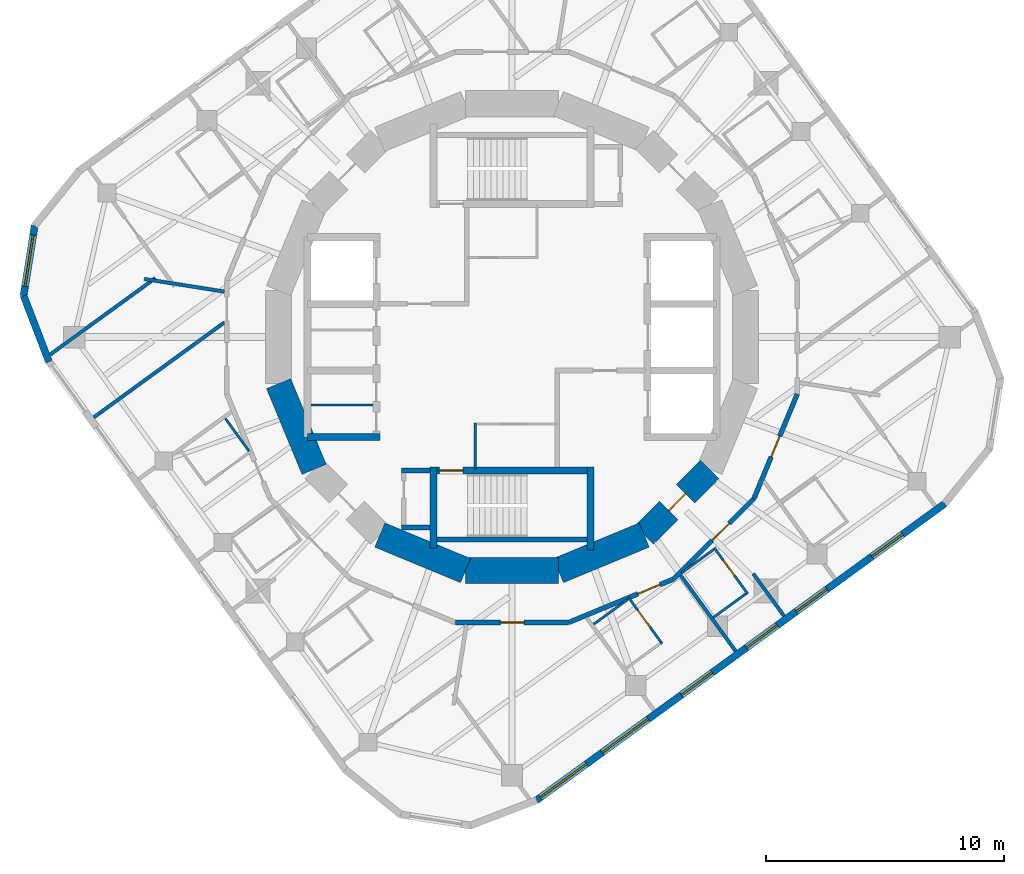
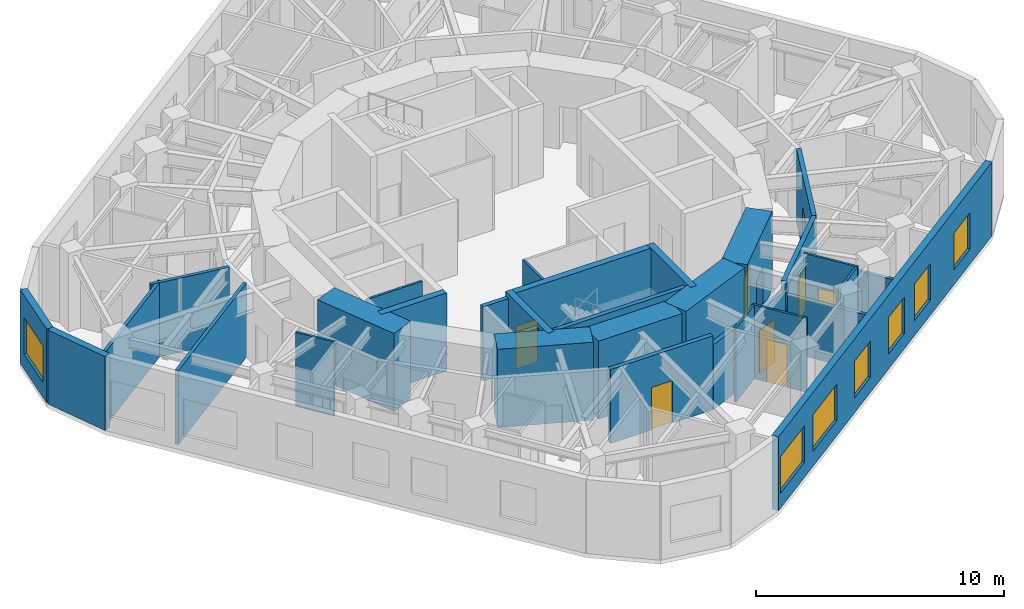
# One storey, part 4 of 9: 32 walls, 8 doors, 7 windows, 15 openings.
"""IFC4 building model written with IfcOpenShell, lengths in metres."""

from ifc_helpers import new_model, si_unit, direction, frame, frame_2d, origin, place, context, subcontext, project, spatial, rectangle, extrude, material, layer, layer_set, type_object, element, fill, save


model = new_model("IFC4")

# Units and contexts
model_context = context("Model", 3, precision=1e-05, world=origin(), true_north=direction((0.0, 1.0)))
body_context = subcontext(model_context, "Body", "Model", "MODEL_VIEW")
ifc_project = project(units=[si_unit("LENGTHUNIT", "METRE"), si_unit("AREAUNIT", "SQUARE_METRE"), si_unit("VOLUMEUNIT", "CUBIC_METRE"), si_unit("PLANEANGLEUNIT", "RADIAN"), si_unit("MASSUNIT", "GRAM", prefix="KILO")], contexts=[model_context])

# Site, building, storey
site_placement = place(None, origin())
site = spatial("IfcSite", under=ifc_project, at=site_placement, CompositionType="ELEMENT")
building_placement = place(site_placement, origin())
building = spatial("IfcBuilding", under=site, at=building_placement, Name="Nakasero Lantern House", CompositionType="ELEMENT")
storey_placement = place(building_placement, frame((0.0, 0.0, 283.0)))
storey = spatial("IfcBuildingStorey", under=building, at=storey_placement, Name="L69", CompositionType="ELEMENT", Elevation=283.0)

# Wall
ifc_material_1 = material(Name="Concrete C50/60", Category="concrete")
ifc_layer_1 = layer(ifc_material_1, 0.300048828125)
ifc_layer_set_1 = layer_set([ifc_layer_1], Name="Core inner wall 300")
wall_type_1 = type_object("IfcWallType", Name="Core inner wall 300", PredefinedType="SHEAR", material=ifc_layer_set_1)
wall_1_placement = place(storey_placement, frame((-8.60009765625, -4.199951171875, 0.0), z_axis=(0.0, 0.0, 1.0), x_axis=(1.0, 0.0, 0.0)))
element("IfcWall", 1, at=wall_1_placement, inside=storey, type_object=wall_type_1, Name="Core inner wall L69 LWS", PredefinedType="SHEAR", context=body_context, shape_type="SweptSolid", body=[
    extrude(rectangle(XDim=3.050048828125, YDim=0.300048828125, at=frame_2d((1.52490234375, 0.0))), origin(), (0.0, 0.0, 1.0), 3.85009765625),
])

# Wall, opening, door
wall_2_placement = place(storey_placement, frame((-3.449951171875, -5.60009765625, 0.0), z_axis=(0.0, 0.0, 1.0), x_axis=(1.0, 0.0, 0.0)))
wall_2 = element("IfcWall", 2, at=wall_2_placement, inside=storey, type_object=wall_type_1, Name="Core inner wall L69 SS", PredefinedType="SHEAR", context=body_context, shape_type="SweptSolid", body=[
    extrude(rectangle(XDim=6.89990234375, YDim=0.300048828125, at=frame_2d((3.449951171875, 0.0))), origin(), (0.0, 0.0, 1.0), 3.85009765625),
])
opening_1_placement = place(wall_2_placement, frame((0.39990234375, 0.0, 0.0)))
opening_1 = element("IfcOpeningElement", 3, at=opening_1_placement, cuts=wall_2, Name="Opening D05", PredefinedType="OPENING", context=body_context, shape_type="SweptSolid", body=[
    extrude(rectangle(XDim=1.0, YDim=2.10009765625, at=frame_2d((0.5, 1.050048828125))), frame((0.0, 0.169921875, 0.0), z_axis=(0.0, -1.0, 0.0), x_axis=(1.0, 0.0, 0.0)), (0.0, 0.0, 1.0), 0.340087890625),
])
ifc_material_2 = material(Name="Timber C24", Category="wood")
door_type_1 = type_object("IfcDoorType", Name="Core door FD60S 1000", OperationType="SINGLE_SWING_LEFT", PredefinedType="DOOR", material=ifc_material_2)
door_1_placement = place(opening_1_placement, origin())
door_1 = element("IfcDoor", 4, at=door_1_placement, inside=storey, type_object=door_type_1, Name="Door L69 D-ST2", OperationType="SINGLE_SWING_LEFT", OverallHeight=2.10009765625, OverallWidth=1.0, PredefinedType="DOOR", context=body_context, shape_type="SweptSolid", body=[
    extrude(rectangle(XDim=1.0, YDim=2.10009765625, at=frame_2d((0.5, 1.050048828125))), frame((0.0, 0.02490234375, 0.0), z_axis=(0.0, -1.0, 0.0), x_axis=(1.0, 0.0, 0.0)), (0.0, 0.0, 1.0), 0.050048828125),
])
fill(opening_1, door_1)

# Walls
wall_3_placement = place(storey_placement, frame((-3.300048828125, -5.449951171875, 0.0), z_axis=(0.0, 0.0, 1.0), x_axis=(0.0, -1.0, 0.0)))
element("IfcWall", 5, at=wall_3_placement, inside=storey, type_object=wall_type_1, Name="Core inner wall L69 SSW", PredefinedType="SHEAR", context=body_context, shape_type="SweptSolid", body=[
    extrude(rectangle(XDim=3.400146484375, YDim=0.300048828125, at=frame_2d((1.7001953125, 0.0))), origin(), (0.0, 0.0, 1.0), 3.85009765625),
])
wall_4_placement = place(storey_placement, frame((3.300048828125, -5.449951171875, 0.0), z_axis=(0.0, 0.0, 1.0), x_axis=(0.0, -1.0, 0.0)))
element("IfcWall", 6, at=wall_4_placement, inside=storey, type_object=wall_type_1, Name="Core inner wall L69 SSE", PredefinedType="SHEAR", context=body_context, shape_type="SweptSolid", body=[
    extrude(rectangle(XDim=3.5, YDim=0.300048828125, at=frame_2d((1.75, 0.0))), origin(), (0.0, 0.0, 1.0), 3.85009765625),
])
ifc_material_3 = material(Name="Blockwork", Category="masonry")
ifc_layer_2 = layer(ifc_material_3, 0.10009765625)
ifc_layer_set_2 = layer_set([ifc_layer_2], Name="Core room wall 100")
wall_type_2 = type_object("IfcWallType", Name="Core room wall 100", PredefinedType="PARTITIONING", material=ifc_layer_set_2)
wall_5_placement = place(storey_placement, frame((-1.550048828125, -5.550048828125, 0.0), z_axis=(0.0, 0.0, 1.0), x_axis=(0.0, 1.0, 0.0)))
element("IfcWall", 7, at=wall_5_placement, inside=storey, type_object=wall_type_2, Name="Core room wall L69 CR-SWW", PredefinedType="PARTITIONING", context=body_context, shape_type="SweptSolid", body=[
    extrude(rectangle(XDim=1.949951171875, YDim=0.10009765625, at=frame_2d((0.97509765625, 0.0))), origin(), (0.0, 0.0, 1.0), 3.64990234375),
])
wall_6_placement = place(storey_placement, frame((-8.449951171875, -2.85009765625, 0.0), z_axis=(0.0, 0.0, 1.0), x_axis=(1.0, 0.0, 0.0)))
element("IfcWall", 8, at=wall_6_placement, inside=storey, type_object=wall_type_2, Name="Core room wall L69 CR-SH-LW1b", PredefinedType="PARTITIONING", context=body_context, shape_type="SweptSolid", body=[
    extrude(rectangle(XDim=2.599853515625, YDim=0.10009765625, at=frame_2d((1.2998046875, 0.0))), origin(), (0.0, 0.0, 1.0), 3.64990234375),
])
ifc_material_4 = material(Name="Concrete C50/60", Category="concrete")
ifc_layer_3 = layer(ifc_material_4, 1.10009765625)
ifc_layer_set_3 = layer_set([ifc_layer_3], Name="Core wall 1100")
wall_type_3 = type_object("IfcWallType", Name="Core wall 1100", PredefinedType="SHEAR", material=ifc_layer_set_3)
for number, where, z_axis, x_axis, name in (
    (9, (-9.807861328125, -1.950927734375, 0.0), (0.0, 0.0, 1.0), (0.382690736062, -0.923876507187, 0.0), "Core wall L69 facet 9"),
    (10, (-5.5556640625, -8.314697265625, 0.0), (0.0, 0.0, 1.0), (0.923876507187, -0.382690736062, 0.0), "Core wall L69 facet 11"),
    (11, (-1.950927734375, -9.807861328125, 0.0), (0.0, 0.0, 1.0), (1.0, 0.0, 0.0), "Core wall L69 facet 12"),
    (12, (1.950927734375, -9.807861328125, 0.0), (0.0, 0.0, 1.0), (0.923876507187, 0.382690736062, 0.0), "Core wall L69 facet 13"),
):
    element("IfcWall", number, at=place(storey_placement, frame(where, z_axis=z_axis, x_axis=x_axis)), inside=storey, type_object=wall_type_3, Name=name, PredefinedType="SHEAR", context=body_context, shape_type="SweptSolid", body=[
        extrude(rectangle(XDim=3.90185546875, YDim=1.10009765625, at=frame_2d((1.950927734375, 0.0))), origin(), (0.0, 0.0, 1.0), 3.85009765625),
    ])

# Wall, opening, door
wall_7_placement = place(storey_placement, frame((5.5556640625, -8.314697265625, 0.0), z_axis=(0.0, 0.0, 1.0), x_axis=(0.707106781187, 0.707106781187, 0.0)))
wall_7 = element("IfcWall", 13, at=wall_7_placement, inside=storey, type_object=wall_type_3, Name="Core wall L69 facet 14", PredefinedType="SHEAR", context=body_context, shape_type="SweptSolid", body=[
    extrude(rectangle(XDim=3.90185546875, YDim=1.10009765625, at=frame_2d((1.950927734375, 0.0))), origin(), (0.0, 0.0, 1.0), 3.85009765625),
])
opening_2_placement = place(wall_7_placement, frame((1.450927734375, 0.0, 0.0)))
opening_2 = element("IfcOpeningElement", 14, at=opening_2_placement, cuts=wall_7, Name="Opening D05", PredefinedType="OPENING", context=body_context, shape_type="SweptSolid", body=[
    extrude(rectangle(XDim=1.0, YDim=2.10009765625, at=frame_2d((0.5, 1.050048828125))), frame((0.0, 0.570068359375, 0.0), z_axis=(0.0, -1.0, 0.0), x_axis=(1.0, 0.0, 0.0)), (0.0, 0.0, 1.0), 1.14013671875),
])
door_2_placement = place(opening_2_placement, origin())
door_2 = element("IfcDoor", 15, at=door_2_placement, inside=storey, type_object=door_type_1, Name="Door L69 D-CORE14", OperationType="SINGLE_SWING_LEFT", OverallHeight=2.10009765625, OverallWidth=1.0, PredefinedType="DOOR", context=body_context, shape_type="SweptSolid", body=[
    extrude(rectangle(XDim=1.0, YDim=2.10009765625, at=frame_2d((0.5, 1.050048828125))), frame((0.0, 0.02490234375, 0.0), z_axis=(0.0, -1.0, 0.0), x_axis=(1.0, 0.0, 0.0)), (0.0, 0.0, 1.0), 0.050048828125),
])
fill(opening_2, door_2)

ifc_material_5 = material(Name="Blockwork", Category="masonry")
ifc_layer_4 = layer(ifc_material_5, 0.199951171875)
ifc_layer_set_4 = layer_set([ifc_layer_4], Name="Corridor wall 200")
wall_type_4 = type_object("IfcWallType", Name="Corridor wall 200", PredefinedType="PARTITIONING", material=ifc_layer_set_4)
wall_8_placement = place(storey_placement, frame((11.98779296875, -2.384521484375, 0.0), z_axis=(0.0, 0.0, 1.0), x_axis=(-0.382669792111, -0.923885182372, 0.0)))
wall_8 = element("IfcWall", 16, at=wall_8_placement, inside=storey, type_object=wall_type_4, Name="Corridor wall L69 RC01a", PredefinedType="PARTITIONING", context=body_context, shape_type="SweptSolid", body=[
    extrude(rectangle(XDim=4.76904296875, YDim=0.199951171875, at=frame_2d((2.384521484375, 0.0))), origin(), (0.0, 0.0, 1.0), 3.64990234375),
])
opening_3_placement = place(wall_8_placement, frame((1.919921875, 0.0, 0.0)))
opening_3 = element("IfcOpeningElement", 17, at=opening_3_placement, cuts=wall_8, Name="Opening D01", PredefinedType="OPENING", context=body_context, shape_type="SweptSolid", body=[
    extrude(rectangle(XDim=0.949951171875, YDim=2.10009765625, at=frame_2d((0.47509765625, 1.050048828125))), frame((0.0, 0.119873046875, 0.0), z_axis=(0.0, -1.0, 0.0), x_axis=(1.0, 0.0, 0.0)), (0.0, 0.0, 1.0), 0.239990234375),
])
ifc_material_6 = material(Name="Timber C24", Category="wood")
door_type_2 = type_object("IfcDoorType", Name="Bedroom door FD30S 950", OperationType="SINGLE_SWING_LEFT", PredefinedType="DOOR", material=ifc_material_6)
door_3_placement = place(opening_3_placement, origin())
door_3 = element("IfcDoor", 18, at=door_3_placement, inside=storey, type_object=door_type_2, Name="Door L69 D3-06", OperationType="SINGLE_SWING_RIGHT", OverallHeight=2.10009765625, OverallWidth=0.949951171875, PredefinedType="DOOR", context=body_context, shape_type="SweptSolid", body=[
    extrude(rectangle(XDim=0.949951171875, YDim=2.10009765625, at=frame_2d((0.47509765625, 1.050048828125))), frame((0.0, 0.02490234375, 0.0), z_axis=(0.0, -1.0, 0.0), x_axis=(1.0, 0.0, 0.0)), (0.0, 0.0, 1.0), 0.050048828125),
])
fill(opening_3, door_3)

wall_9_placement = place(storey_placement, frame((10.162841796875, -6.79052734375, 0.0), z_axis=(0.0, 0.0, 1.0), x_axis=(-0.707106781187, -0.707106781187, 0.0)))
wall_9 = element("IfcWall", 19, at=wall_9_placement, inside=storey, type_object=wall_type_4, Name="Corridor wall L69 RC02a", PredefinedType="PARTITIONING", context=body_context, shape_type="SweptSolid", body=[
    extrude(rectangle(XDim=4.769287109375, YDim=0.199951171875, at=frame_2d((2.384765625, 0.0))), origin(), (0.0, 0.0, 1.0), 3.64990234375),
])
opening_4_placement = place(wall_9_placement, frame((1.469970703125, 0.0, 0.0)))
opening_4 = element("IfcOpeningElement", 20, at=opening_4_placement, cuts=wall_9, Name="Opening D07", PredefinedType="OPENING", context=body_context, shape_type="SweptSolid", body=[
    extrude(rectangle(XDim=1.0, YDim=2.10009765625, at=frame_2d((0.5, 1.050048828125))), frame((0.0, 0.119873046875, 0.0), z_axis=(0.0, -1.0, 0.0), x_axis=(1.0, 0.0, 0.0)), (0.0, 0.0, 1.0), 0.239990234375),
])
ifc_material_7 = material(Name="Timber C24", Category="wood")
door_type_3 = type_object("IfcDoorType", Name="Room door FD30S 1000", OperationType="SINGLE_SWING_LEFT", PredefinedType="DOOR", material=ifc_material_7)
door_4_placement = place(opening_4_placement, origin())
door_4 = element("IfcDoor", 21, at=door_4_placement, inside=storey, type_object=door_type_3, Name="Door L69 D3-04", OperationType="SINGLE_SWING_LEFT", OverallHeight=2.10009765625, OverallWidth=1.0, PredefinedType="DOOR", context=body_context, shape_type="SweptSolid", body=[
    extrude(rectangle(XDim=1.0, YDim=2.10009765625, at=frame_2d((0.5, 1.050048828125))), frame((0.0, 0.02490234375, 0.0), z_axis=(0.0, -1.0, 0.0), x_axis=(1.0, 0.0, 0.0)), (0.0, 0.0, 1.0), 0.050048828125),
])
fill(opening_4, door_4)

wall_10_placement = place(storey_placement, frame((6.79052734375, -10.162841796875, 0.0), z_axis=(0.0, 0.0, 1.0), x_axis=(-0.923885182372, -0.382669792111, 0.0)))
wall_10 = element("IfcWall", 22, at=wall_10_placement, inside=storey, type_object=wall_type_4, Name="Corridor wall L69 RC03a", PredefinedType="PARTITIONING", context=body_context, shape_type="SweptSolid", body=[
    extrude(rectangle(XDim=4.76904296875, YDim=0.199951171875, at=frame_2d((2.384521484375, 0.0))), origin(), (0.0, 0.0, 1.0), 3.18994140625),
])
opening_5_placement = place(wall_10_placement, frame((0.6201171875, 0.0, 0.0)))
opening_5 = element("IfcOpeningElement", 23, at=opening_5_placement, cuts=wall_10, Name="Opening D07", PredefinedType="OPENING", context=body_context, shape_type="SweptSolid", body=[
    extrude(rectangle(XDim=1.0, YDim=2.10009765625, at=frame_2d((0.5, 1.050048828125))), frame((0.0, 0.119873046875, 0.0), z_axis=(0.0, -1.0, 0.0), x_axis=(1.0, 0.0, 0.0)), (0.0, 0.0, 1.0), 0.239990234375),
])
door_5_placement = place(opening_5_placement, origin())
door_5 = element("IfcDoor", 24, at=door_5_placement, inside=storey, type_object=door_type_3, Name="Door L69 D3-03", OperationType="SINGLE_SWING_LEFT", OverallHeight=2.10009765625, OverallWidth=1.0, PredefinedType="DOOR", context=body_context, shape_type="SweptSolid", body=[
    extrude(rectangle(XDim=1.0, YDim=2.10009765625, at=frame_2d((0.5, 1.050048828125))), frame((0.0, 0.02490234375, 0.0), z_axis=(0.0, -1.0, 0.0), x_axis=(1.0, 0.0, 0.0)), (0.0, 0.0, 1.0), 0.050048828125),
])
fill(opening_5, door_5)

wall_11_placement = place(storey_placement, frame((2.384521484375, -11.98779296875, 0.0), z_axis=(0.0, 0.0, 1.0), x_axis=(-1.0, 0.0, 0.0)))
wall_11 = element("IfcWall", 25, at=wall_11_placement, inside=storey, type_object=wall_type_4, Name="Corridor wall L69 RC04a", PredefinedType="PARTITIONING", context=body_context, shape_type="SweptSolid", body=[
    extrude(rectangle(XDim=4.76904296875, YDim=0.199951171875, at=frame_2d((2.384521484375, 0.0))), origin(), (0.0, 0.0, 1.0), 3.64990234375),
])
opening_6_placement = place(wall_11_placement, frame((1.8701171875, 0.0, 0.0)))
opening_6 = element("IfcOpeningElement", 26, at=opening_6_placement, cuts=wall_11, Name="Opening D03", PredefinedType="OPENING", context=body_context, shape_type="SweptSolid", body=[
    extrude(rectangle(XDim=1.0, YDim=2.10009765625, at=frame_2d((0.5, 1.050048828125))), frame((0.0, 0.119873046875, 0.0), z_axis=(0.0, -1.0, 0.0), x_axis=(1.0, 0.0, 0.0)), (0.0, 0.0, 1.0), 0.239990234375),
])
ifc_material_8 = material(Name="Timber C24", Category="wood")
door_type_4 = type_object("IfcDoorType", Name="Lounge door FD30S 1000", OperationType="SINGLE_SWING_LEFT", PredefinedType="DOOR", material=ifc_material_8)
door_6_placement = place(opening_6_placement, origin())
door_6 = element("IfcDoor", 27, at=door_6_placement, inside=storey, type_object=door_type_4, Name="Door L69 DK3", OperationType="SINGLE_SWING_LEFT", OverallHeight=2.10009765625, OverallWidth=1.0, PredefinedType="DOOR", context=body_context, shape_type="SweptSolid", body=[
    extrude(rectangle(XDim=1.0, YDim=2.10009765625, at=frame_2d((0.5, 1.050048828125))), frame((0.0, 0.02490234375, 0.0), z_axis=(0.0, -1.0, 0.0), x_axis=(1.0, 0.0, 0.0)), (0.0, 0.0, 1.0), 0.050048828125),
])
fill(opening_6, door_6)

# Wall
ifc_material_9 = material(Name="Blockwork", Category="masonry")
ifc_layer_5 = layer(ifc_material_9, 0.10009765625)
ifc_layer_set_5 = layer_set([ifc_layer_5], Name="En-suite wall 100")
wall_type_5 = type_object("IfcWallType", Name="En-suite wall 100", PredefinedType="PARTITIONING", material=ifc_layer_set_5)
wall_12_placement = place(storey_placement, frame((-12.046142578125, -3.414794921875, 0.0), z_axis=(0.0, 0.0, 1.0), x_axis=(0.587659235066, -0.809108536256, 0.0)))
element("IfcWall", 28, at=wall_12_placement, inside=storey, type_object=wall_type_5, Name="En-suite wall L69 EI2-03", PredefinedType="PARTITIONING", context=body_context, shape_type="SweptSolid", body=[
    extrude(rectangle(XDim=1.699951171875, YDim=0.10009765625, at=frame_2d((0.85009765625, 0.0))), origin(), (0.0, 0.0, 1.0), 3.64990234375),
])

# Wall, opening, door
wall_13_placement = place(storey_placement, frame((4.896240234375, -10.937744140625, 0.0), z_axis=(0.0, 0.0, 1.0), x_axis=(0.587772420479, -0.809026317077, 0.0)))
wall_13 = element("IfcWall", 29, at=wall_13_placement, inside=storey, type_object=wall_type_5, Name="En-suite wall L69 ES3-03", PredefinedType="PARTITIONING", context=body_context, shape_type="SweptSolid", body=[
    extrude(rectangle(XDim=2.39990234375, YDim=0.10009765625, at=frame_2d((1.199951171875, 0.0))), origin(), (0.0, 0.0, 1.0), 3.64990234375),
])
opening_7_placement = place(wall_13_placement, frame((0.64990234375, 0.0, 0.0)))
opening_7 = element("IfcOpeningElement", 30, at=opening_7_placement, cuts=wall_13, Name="Opening D16", PredefinedType="OPENING", context=body_context, shape_type="SweptSolid", body=[
    extrude(rectangle(XDim=0.89990234375, YDim=2.10009765625, at=frame_2d((0.449951171875, 1.050048828125))), frame((0.0, 0.070068359375, 0.0), z_axis=(0.0, -1.0, 0.0), x_axis=(1.0, 0.0, 0.0)), (0.0, 0.0, 1.0), 0.14013671875),
])
ifc_material_10 = material(Name="Timber C24", Category="wood")
door_type_5 = type_object("IfcDoorType", Name="Accessible WC door 900", OperationType="SINGLE_SWING_RIGHT", PredefinedType="DOOR", material=ifc_material_10)
door_7_placement = place(opening_7_placement, origin())
door_7 = element("IfcDoor", 31, at=door_7_placement, inside=storey, type_object=door_type_5, Name="Door L69 DE3-03", OperationType="SINGLE_SWING_LEFT", OverallHeight=2.10009765625, OverallWidth=0.89990234375, PredefinedType="DOOR", context=body_context, shape_type="SweptSolid", body=[
    extrude(rectangle(XDim=0.89990234375, YDim=2.10009765625, at=frame_2d((0.449951171875, 1.050048828125))), frame((0.0, 0.02490234375, 0.0), z_axis=(0.0, -1.0, 0.0), x_axis=(1.0, 0.0, 0.0)), (0.0, 0.0, 1.0), 0.050048828125),
])
fill(opening_7, door_7)

# Wall
wall_14_placement = place(storey_placement, frame((3.428955078125, -12.065673828125, 0.0), z_axis=(0.0, 0.0, 1.0), x_axis=(0.809005783898, 0.58780068188, 0.0)))
element("IfcWall", 32, at=wall_14_placement, inside=storey, type_object=wall_type_5, Name="En-suite wall L69 EI3-03", PredefinedType="PARTITIONING", context=body_context, shape_type="SweptSolid", body=[
    extrude(rectangle(XDim=1.800048828125, YDim=0.10009765625, at=frame_2d((0.89990234375, 0.0))), origin(), (0.0, 0.0, 1.0), 3.64990234375),
])

# Wall, opening, door
wall_15_placement = place(storey_placement, frame((8.495849609375, -8.846435546875, 0.0), z_axis=(0.0, 0.0, 1.0), x_axis=(0.587772420479, -0.809026317077, 0.0)))
wall_15 = element("IfcWall", 33, at=wall_15_placement, inside=storey, type_object=wall_type_5, Name="En-suite wall L69 ES3-04", PredefinedType="PARTITIONING", context=body_context, shape_type="SweptSolid", body=[
    extrude(rectangle(XDim=2.39990234375, YDim=0.10009765625, at=frame_2d((1.199951171875, 0.0))), origin(), (0.0, 0.0, 1.0), 3.64990234375),
])
opening_8_placement = place(wall_15_placement, frame((0.64990234375, 0.0, 0.0)))
opening_8 = element("IfcOpeningElement", 34, at=opening_8_placement, cuts=wall_15, Name="Opening D15", PredefinedType="OPENING", context=body_context, shape_type="SweptSolid", body=[
    extrude(rectangle(XDim=0.800048828125, YDim=2.10009765625, at=frame_2d((0.39990234375, 1.050048828125))), frame((0.0, 0.070068359375, 0.0), z_axis=(0.0, -1.0, 0.0), x_axis=(1.0, 0.0, 0.0)), (0.0, 0.0, 1.0), 0.14013671875),
])
ifc_material_11 = material(Name="Timber C24", Category="wood")
door_type_6 = type_object("IfcDoorType", Name="Cleaner's store door FD30S 800", OperationType="SINGLE_SWING_LEFT", PredefinedType="DOOR", material=ifc_material_11)
door_8_placement = place(opening_8_placement, origin())
door_8 = element("IfcDoor", 35, at=door_8_placement, inside=storey, type_object=door_type_6, Name="Door L69 DE3-04", OperationType="SINGLE_SWING_LEFT", OverallHeight=2.10009765625, OverallWidth=0.800048828125, PredefinedType="DOOR", context=body_context, shape_type="SweptSolid", body=[
    extrude(rectangle(XDim=0.800048828125, YDim=2.10009765625, at=frame_2d((0.39990234375, 1.050048828125))), frame((0.0, 0.02490234375, 0.0), z_axis=(0.0, -1.0, 0.0), x_axis=(1.0, 0.0, 0.0)), (0.0, 0.0, 1.0), 0.050048828125),
])
fill(opening_8, door_8)

# Walls
wall_16_placement = place(storey_placement, frame((8.461181640625, -11.7763671875, 0.0), z_axis=(0.0, 0.0, 1.0), x_axis=(0.809040252033, 0.58775323954, 0.0)))
element("IfcWall", 36, at=wall_16_placement, inside=storey, type_object=wall_type_5, Name="En-suite wall L69 EE3-04", PredefinedType="PARTITIONING", context=body_context, shape_type="SweptSolid", body=[
    extrude(rectangle(XDim=1.7001953125, YDim=0.10009765625, at=frame_2d((0.85009765625, 0.0))), origin(), (0.0, 0.0, 1.0), 3.64990234375),
])
wall_17_placement = place(storey_placement, frame((7.109375, -9.91552734375, 0.0), z_axis=(0.0, 0.0, 1.0), x_axis=(0.808990636343, 0.587821529301, 0.0)))
element("IfcWall", 37, at=wall_17_placement, inside=storey, type_object=wall_type_5, Name="En-suite wall L69 EI3-04", PredefinedType="PARTITIONING", context=body_context, shape_type="SweptSolid", body=[
    extrude(rectangle(XDim=1.699951171875, YDim=0.10009765625, at=frame_2d((0.85009765625, 0.0))), origin(), (0.0, 0.0, 1.0), 3.18994140625),
])

# Wall, opening, window
ifc_material_12 = material(Name="Aluminium rainscreen on blockwork", Category="masonry")
ifc_layer_6 = layer(ifc_material_12, 0.300048828125)
ifc_layer_set_6 = layer_set([ifc_layer_6], Name="Facade wall 300")
wall_type_6 = type_object("IfcWallType", Name="Facade wall 300", PredefinedType="SOLIDWALL", material=ifc_layer_set_6)
wall_18_placement = place(storey_placement, frame((-20.05908203125, 4.683837890625, 0.0), z_axis=(0.0, 0.0, 1.0), x_axis=(-0.156413227021, -0.987691704133, 0.0)))
wall_18 = element("IfcWall", 38, at=wall_18_placement, inside=storey, type_object=wall_type_6, Name="Facade wall L69 FW1C2", PredefinedType="SOLIDWALL", context=body_context, shape_type="SweptSolid", body=[
    extrude(rectangle(XDim=2.9765625, YDim=0.300048828125, at=frame_2d((1.48828125, 0.0))), origin(), (0.0, 0.0, 1.0), 3.64990234375),
])
opening_9_placement = place(wall_18_placement, frame((0.39990234375, 0.0, 0.75)))
opening_9 = element("IfcOpeningElement", 39, at=opening_9_placement, cuts=wall_18, Name="Opening W221", PredefinedType="OPENING", context=body_context, shape_type="SweptSolid", body=[
    extrude(rectangle(XDim=2.176025390625, YDim=1.800048828125, at=frame_2d((1.087890625, 0.89990234375))), frame((0.0, 0.169921875, 0.0), z_axis=(0.0, -1.0, 0.0), x_axis=(1.0, 0.0, 0.0)), (0.0, 0.0, 1.0), 0.340087890625),
])
ifc_material_13 = material(Name="Aluminium 6063-T6 and glass", Category="aluminium")
window_type_1 = type_object("IfcWindowType", Name="Corner window 2176x1800", PartitioningType="SINGLE_PANEL", PredefinedType="WINDOW", material=ifc_material_13)
window_1_placement = place(opening_9_placement, origin())
window_1 = element("IfcWindow", 40, at=window_1_placement, inside=storey, type_object=window_type_1, Name="Window L69 WC1", OverallHeight=1.800048828125, OverallWidth=2.176025390625, PartitioningType="SINGLE_PANEL", PredefinedType="WINDOW", context=body_context, shape_type="SweptSolid", body=[
    extrude(rectangle(XDim=2.176025390625, YDim=1.800048828125, at=frame_2d((1.087890625, 0.89990234375))), frame((0.0, 0.030029296875, 0.0), z_axis=(0.0, -1.0, 0.0), x_axis=(1.0, 0.0, 0.0)), (0.0, 0.0, 1.0), 0.06005859375),
])
fill(opening_9, window_1)

# Wall
wall_19_placement = place(storey_placement, frame((-20.524658203125, 1.743896484375, 0.0), z_axis=(0.0, 0.0, 1.0), x_axis=(0.35838535244, -0.933573745966, 0.0)))
element("IfcWall", 41, at=wall_19_placement, inside=storey, type_object=wall_type_6, Name="Facade wall L69 FW1C3", PredefinedType="SOLIDWALL", context=body_context, shape_type="SweptSolid", body=[
    extrude(rectangle(XDim=2.976318359375, YDim=0.300048828125, at=frame_2d((1.48828125, 0.0))), origin(), (0.0, 0.0, 1.0), 3.64990234375),
])

# Wall, openings, windows
wall_20_placement = place(storey_placement, frame((1.03466796875, -19.4580078125, 0.0), z_axis=(0.0, 0.0, 1.0), x_axis=(0.809013375328, 0.587790233451, 0.0)))
wall_20 = element("IfcWall", 42, at=wall_20_placement, inside=storey, type_object=wall_type_6, Name="Facade wall L69 FW3S", PredefinedType="SOLIDWALL", context=body_context, shape_type="SweptSolid", body=[
    extrude(rectangle(XDim=21.199951171875, YDim=0.300048828125, at=frame_2d((10.60009765625, 0.0))), origin(), (0.0, 0.0, 1.0), 3.64990234375),
])
opening_10_placement = place(wall_20_placement, frame((7.52783203125, 0.0, 0.75)))
opening_10 = element("IfcOpeningElement", 43, at=opening_10_placement, cuts=wall_20, Name="Opening W01", PredefinedType="OPENING", context=body_context, shape_type="SweptSolid", body=[
    extrude(rectangle(XDim=1.60009765625, YDim=1.800048828125, at=frame_2d((0.800048828125, 0.89990234375))), frame((0.0, 0.169921875, 0.0), z_axis=(0.0, -1.0, 0.0), x_axis=(1.0, 0.0, 0.0)), (0.0, 0.0, 1.0), 0.340087890625),
])
opening_11_placement = place(wall_20_placement, frame((10.904052734375, 0.0, 0.75)))
opening_11 = element("IfcOpeningElement", 44, at=opening_11_placement, cuts=wall_20, Name="Opening W01", PredefinedType="OPENING", context=body_context, shape_type="SweptSolid", body=[
    extrude(rectangle(XDim=1.60009765625, YDim=1.800048828125, at=frame_2d((0.800048828125, 0.89990234375))), frame((0.0, 0.169921875, 0.0), z_axis=(0.0, -1.0, 0.0), x_axis=(1.0, 0.0, 0.0)), (0.0, 0.0, 1.0), 0.340087890625),
])
opening_12_placement = place(wall_20_placement, frame((13.484619140625, 0.0, 0.75)))
opening_12 = element("IfcOpeningElement", 45, at=opening_12_placement, cuts=wall_20, Name="Opening W01", PredefinedType="OPENING", context=body_context, shape_type="SweptSolid", body=[
    extrude(rectangle(XDim=1.60009765625, YDim=1.800048828125, at=frame_2d((0.800048828125, 0.89990234375))), frame((0.0, 0.169921875, 0.0), z_axis=(0.0, -1.0, 0.0), x_axis=(1.0, 0.0, 0.0)), (0.0, 0.0, 1.0), 0.340087890625),
])
opening_13_placement = place(wall_20_placement, frame((17.410888671875, 0.0, 0.75)))
opening_13 = element("IfcOpeningElement", 46, at=opening_13_placement, cuts=wall_20, Name="Opening W01", PredefinedType="OPENING", context=body_context, shape_type="SweptSolid", body=[
    extrude(rectangle(XDim=1.60009765625, YDim=1.800048828125, at=frame_2d((0.800048828125, 0.89990234375))), frame((0.0, 0.169921875, 0.0), z_axis=(0.0, -1.0, 0.0), x_axis=(1.0, 0.0, 0.0)), (0.0, 0.0, 1.0), 0.340087890625),
])
opening_14_placement = place(wall_20_placement, frame((0.1904296875, 0.0, 0.75)))
opening_14 = element("IfcOpeningElement", 47, at=opening_14_placement, cuts=wall_20, Name="Opening W03", PredefinedType="OPENING", context=body_context, shape_type="SweptSolid", body=[
    extrude(rectangle(XDim=2.39990234375, YDim=1.800048828125, at=frame_2d((1.199951171875, 0.89990234375))), frame((0.0, 0.169921875, 0.0), z_axis=(0.0, -1.0, 0.0), x_axis=(1.0, 0.0, 0.0)), (0.0, 0.0, 1.0), 0.340087890625),
])
opening_15_placement = place(wall_20_placement, frame((3.401611328125, 0.0, 0.75)))
opening_15 = element("IfcOpeningElement", 48, at=opening_15_placement, cuts=wall_20, Name="Opening W03", PredefinedType="OPENING", context=body_context, shape_type="SweptSolid", body=[
    extrude(rectangle(XDim=2.39990234375, YDim=1.800048828125, at=frame_2d((1.199951171875, 0.89990234375))), frame((0.0, 0.169921875, 0.0), z_axis=(0.0, -1.0, 0.0), x_axis=(1.0, 0.0, 0.0)), (0.0, 0.0, 1.0), 0.340087890625),
])
ifc_material_14 = material(Name="Aluminium 6063-T6 and glass", Category="aluminium")
window_type_2 = type_object("IfcWindowType", Name="Bedroom window 1600x1800", PartitioningType="SINGLE_PANEL", PredefinedType="WINDOW", material=ifc_material_14)
window_2_placement = place(opening_10_placement, origin())
window_2 = element("IfcWindow", 49, at=window_2_placement, inside=storey, type_object=window_type_2, Name="Window L69 WN3-03", OverallHeight=1.800048828125, OverallWidth=1.60009765625, PartitioningType="SINGLE_PANEL", PredefinedType="WINDOW", context=body_context, shape_type="SweptSolid", body=[
    extrude(rectangle(XDim=1.60009765625, YDim=1.800048828125, at=frame_2d((0.800048828125, 0.89990234375))), frame((0.0, 0.030029296875, 0.0), z_axis=(0.0, -1.0, 0.0), x_axis=(1.0, 0.0, 0.0)), (0.0, 0.0, 1.0), 0.06005859375),
])
fill(opening_10, window_2)
window_3_placement = place(opening_11_placement, origin())
window_3 = element("IfcWindow", 50, at=window_3_placement, inside=storey, type_object=window_type_2, Name="Window L69 WN3-04", OverallHeight=1.800048828125, OverallWidth=1.60009765625, PartitioningType="SINGLE_PANEL", PredefinedType="WINDOW", context=body_context, shape_type="SweptSolid", body=[
    extrude(rectangle(XDim=1.60009765625, YDim=1.800048828125, at=frame_2d((0.800048828125, 0.89990234375))), frame((0.0, 0.030029296875, 0.0), z_axis=(0.0, -1.0, 0.0), x_axis=(1.0, 0.0, 0.0)), (0.0, 0.0, 1.0), 0.06005859375),
])
fill(opening_11, window_3)
window_4_placement = place(opening_12_placement, origin())
window_4 = element("IfcWindow", 51, at=window_4_placement, inside=storey, type_object=window_type_2, Name="Window L69 WN3-05", OverallHeight=1.800048828125, OverallWidth=1.60009765625, PartitioningType="SINGLE_PANEL", PredefinedType="WINDOW", context=body_context, shape_type="SweptSolid", body=[
    extrude(rectangle(XDim=1.60009765625, YDim=1.800048828125, at=frame_2d((0.800048828125, 0.89990234375))), frame((0.0, 0.030029296875, 0.0), z_axis=(0.0, -1.0, 0.0), x_axis=(1.0, 0.0, 0.0)), (0.0, 0.0, 1.0), 0.06005859375),
])
fill(opening_12, window_4)
window_5_placement = place(opening_13_placement, origin())
window_5 = element("IfcWindow", 52, at=window_5_placement, inside=storey, type_object=window_type_2, Name="Window L69 WN3-06", OverallHeight=1.800048828125, OverallWidth=1.60009765625, PartitioningType="SINGLE_PANEL", PredefinedType="WINDOW", context=body_context, shape_type="SweptSolid", body=[
    extrude(rectangle(XDim=1.60009765625, YDim=1.800048828125, at=frame_2d((0.800048828125, 0.89990234375))), frame((0.0, 0.030029296875, 0.0), z_axis=(0.0, -1.0, 0.0), x_axis=(1.0, 0.0, 0.0)), (0.0, 0.0, 1.0), 0.06005859375),
])
fill(opening_13, window_5)
ifc_material_15 = material(Name="Aluminium 6063-T6 and glass", Category="aluminium")
window_type_3 = type_object("IfcWindowType", Name="Lounge window 2400x1800", PartitioningType="SINGLE_PANEL", PredefinedType="WINDOW", material=ifc_material_15)
window_6_placement = place(opening_14_placement, origin())
window_6 = element("IfcWindow", 53, at=window_6_placement, inside=storey, type_object=window_type_3, Name="Window L69 WK3", OverallHeight=1.800048828125, OverallWidth=2.39990234375, PartitioningType="SINGLE_PANEL", PredefinedType="WINDOW", context=body_context, shape_type="SweptSolid", body=[
    extrude(rectangle(XDim=2.39990234375, YDim=1.800048828125, at=frame_2d((1.199951171875, 0.89990234375))), frame((0.0, 0.030029296875, 0.0), z_axis=(0.0, -1.0, 0.0), x_axis=(1.0, 0.0, 0.0)), (0.0, 0.0, 1.0), 0.06005859375),
])
fill(opening_14, window_6)
window_7_placement = place(opening_15_placement, origin())
window_7 = element("IfcWindow", 54, at=window_7_placement, inside=storey, type_object=window_type_3, Name="Window L69 WL3", OverallHeight=1.800048828125, OverallWidth=2.39990234375, PartitioningType="SINGLE_PANEL", PredefinedType="WINDOW", context=body_context, shape_type="SweptSolid", body=[
    extrude(rectangle(XDim=2.39990234375, YDim=1.800048828125, at=frame_2d((1.199951171875, 0.89990234375))), frame((0.0, 0.030029296875, 0.0), z_axis=(0.0, -1.0, 0.0), x_axis=(1.0, 0.0, 0.0)), (0.0, 0.0, 1.0), 0.06005859375),
])
fill(opening_15, window_7)

# Walls
ifc_material_16 = material(Name="Blockwork", Category="masonry")
ifc_layer_7 = layer(ifc_material_16, 0.199951171875)
ifc_layer_set_7 = layer_set([ifc_layer_7], Name="Fire lobby wall 200")
wall_type_7 = type_object("IfcWallType", Name="Fire lobby wall 200", PredefinedType="PARTITIONING", material=ifc_layer_set_7)
for number, where, z_axis, x_axis, name in (
    (55, (-3.449951171875, -8.0, 0.0), (0.0, 0.0, 1.0), (-1.0, 0.0, 0.0), "Fire lobby wall L69 W-RS2S"),
    (56, (-3.449951171875, -5.60009765625, 0.0), (0.0, 0.0, 1.0), (-1.0, 0.0, 0.0), "Fire lobby wall L69 W-RS2N"),
):
    element("IfcWall", number, at=place(storey_placement, frame(where, z_axis=z_axis, x_axis=x_axis)), inside=storey, type_object=wall_type_7, Name=name, PredefinedType="PARTITIONING", context=body_context, shape_type="SweptSolid", body=[
        extrude(rectangle(XDim=1.199951171875, YDim=0.199951171875, at=frame_2d((0.60009765625, 0.0))), origin(), (0.0, 0.0, 1.0), 3.64990234375),
    ])
wall_21_placement = place(storey_placement, frame((-3.300048828125, -8.5, 0.0), z_axis=(0.0, 0.0, 1.0), x_axis=(1.0, 0.0, 0.0)))
element("IfcWall", 57, at=wall_21_placement, inside=storey, type_object=wall_type_7, Name="Fire lobby wall L69 W-STS", PredefinedType="PARTITIONING", context=body_context, shape_type="SweptSolid", body=[
    extrude(rectangle(XDim=6.60009765625, YDim=0.199951171875, at=frame_2d((3.300048828125, 0.0))), origin(), (0.0, 0.0, 1.0), 3.64990234375),
])
ifc_material_17 = material(Name="Blockwork", Category="masonry")
ifc_layer_8 = layer(ifc_material_17, 0.14990234375)
ifc_layer_set_8 = layer_set([ifc_layer_8], Name="Party wall 150")
wall_type_8 = type_object("IfcWallType", Name="Party wall 150", PredefinedType="PARTITIONING", material=ifc_layer_set_8)
wall_22_placement = place(storey_placement, frame((-12.087890625, 1.91455078125, 0.0), z_axis=(0.0, 0.0, 1.0), x_axis=(-0.98768913413, 0.156429454775, 0.0)))
element("IfcWall", 58, at=wall_22_placement, inside=storey, type_object=wall_type_8, Name="Party wall L69 PD1", PredefinedType="PARTITIONING", context=body_context, shape_type="SweptSolid", body=[
    extrude(rectangle(XDim=3.41015625, YDim=0.14990234375, at=frame_2d((1.705078125, 0.0))), origin(), (0.0, 0.0, 1.0), 3.64990234375),
])
wall_23_placement = place(storey_placement, frame((-14.9853515625, 2.48095703125, 0.0), z_axis=(0.0, 0.0, 1.0), x_axis=(-0.809023745549, -0.587775959987, 0.0)))
element("IfcWall", 59, at=wall_23_placement, inside=storey, type_object=wall_type_8, Name="Party wall L69 PW2-01", PredefinedType="PARTITIONING", context=body_context, shape_type="SweptSolid", body=[
    extrude(rectangle(XDim=5.466552734375, YDim=0.14990234375, at=frame_2d((2.7333984375, 0.0))), origin(), (0.0, 0.0, 1.0), 3.64990234375),
])
wall_24_placement = place(storey_placement, frame((-12.087890625, 0.61669921875, 0.0), z_axis=(0.0, 0.0, 1.0), x_axis=(-0.809020810066, -0.587780000409, 0.0)))
element("IfcWall", 60, at=wall_24_placement, inside=storey, type_object=wall_type_8, Name="Party wall L69 PW2-02", PredefinedType="PARTITIONING", context=body_context, shape_type="SweptSolid", body=[
    extrude(rectangle(XDim=6.783203125, YDim=0.14990234375, at=frame_2d((3.3916015625, 0.0))), origin(), (0.0, 0.0, 1.0), 3.64990234375),
])
wall_25_placement = place(storey_placement, frame((10.13818359375, -9.939208984375, 0.0), z_axis=(0.0, 0.0, 1.0), x_axis=(0.587821928992, -0.808990345923, 0.0)))
element("IfcWall", 61, at=wall_25_placement, inside=storey, type_object=wall_type_8, Name="Party wall L69 PN3-05", PredefinedType="PARTITIONING", context=body_context, shape_type="SweptSolid", body=[
    extrude(rectangle(XDim=2.199951171875, YDim=0.14990234375, at=frame_2d((1.10009765625, 0.0))), origin(), (0.0, 0.0, 1.0), 2.95703125),
])
wall_26_placement = place(storey_placement, frame((7.085205078125, -10.009765625, 0.0), z_axis=(0.0, 0.0, 1.0), x_axis=(0.587777120537, -0.809022902379, 0.0)))
element("IfcWall", 62, at=wall_26_placement, inside=storey, type_object=wall_type_8, Name="Party wall L69 PW3-04", PredefinedType="PARTITIONING", context=body_context, shape_type="SweptSolid", body=[
    extrude(rectangle(XDim=3.937255859375, YDim=0.14990234375, at=frame_2d((1.96875, 0.0))), origin(), (0.0, 0.0, 1.0), 2.809326171875),
])

save(model, "model.ifc")
